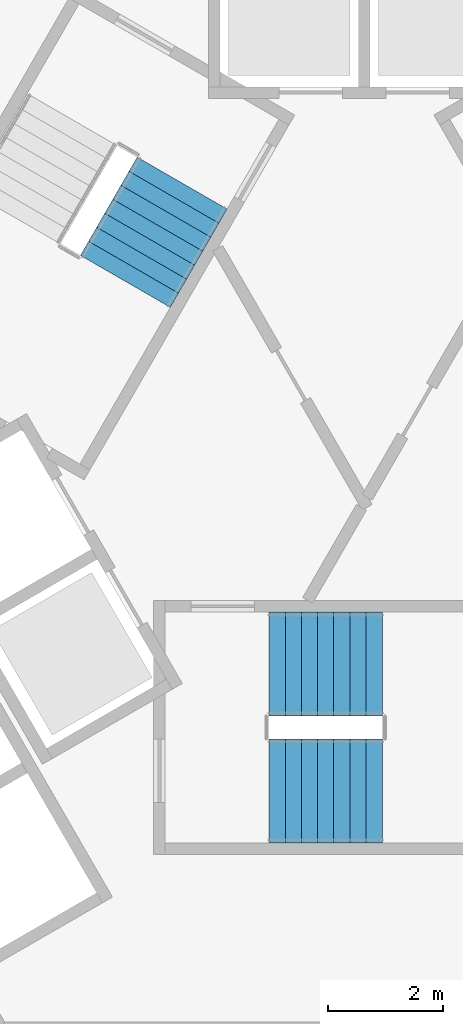
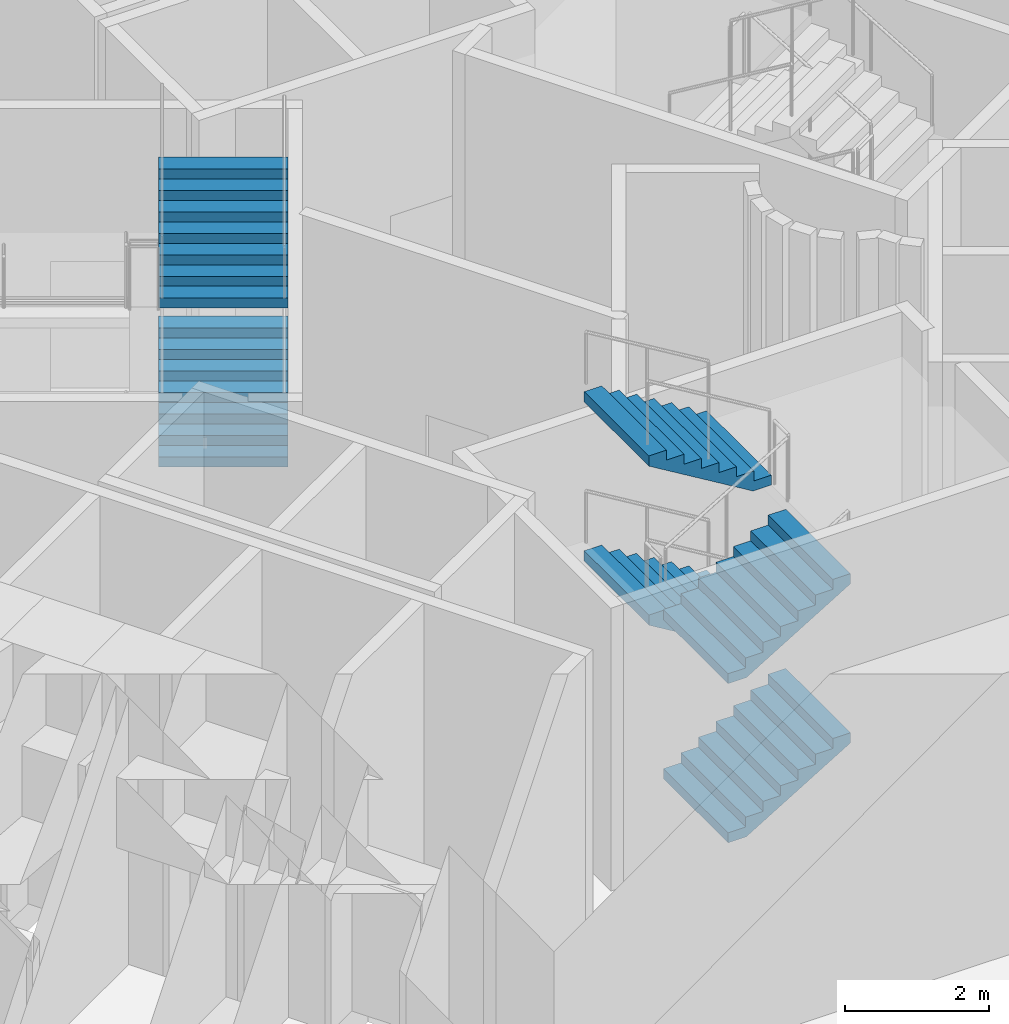
# One storey, part 11 of 20: 6 stair flights, 2 elements without a shape of their own.
"""IFC4 building model written with IfcOpenShell, lengths in metres."""

from ifc_helpers import new_model, si_unit, direction, frame, origin, place, context, subcontext, project, spatial, triangles, material, type_object, element, aggregate, save


model = new_model("IFC4")

# Units and contexts
model_context = context("Model", 3, precision=1e-05, world=origin(), true_north=direction((0.0, 1.0)))
body_context = subcontext(model_context, "Body", "Model", "MODEL_VIEW")
ifc_project = project(units=[si_unit("LENGTHUNIT", "METRE"), si_unit("AREAUNIT", "SQUARE_METRE"), si_unit("VOLUMEUNIT", "CUBIC_METRE"), si_unit("PLANEANGLEUNIT", "RADIAN"), si_unit("MASSUNIT", "GRAM", prefix="KILO")], contexts=[model_context])

# Site, building, storey
site_placement = place(None, origin())
site = spatial("IfcSite", under=ifc_project, at=site_placement, CompositionType="ELEMENT")
building_placement = place(site_placement, origin())
building = spatial("IfcBuilding", under=site, at=building_placement, Name="Entoto Arch Interchange Tower", CompositionType="ELEMENT")
storey_placement = place(building_placement, frame((0.0, 0.0, 184.39990234375)))
storey = spatial("IfcBuildingStorey", under=building, at=storey_placement, Name="L41", CompositionType="ELEMENT", Elevation=184.39990234375)

# Stair, stair flights
ifc_material = material(Name="Concrete C40/50", Category="concrete")
stair_type = type_object("IfcStairType", Name="EXIT STAIR RC 1800", PredefinedType="HALF_TURN_STAIR", material=ifc_material)
stair_1_placement = place(storey_placement, origin())
stair_1 = element("IfcStair", 1, at=stair_1_placement, inside=storey, type_object=stair_type, Name="L41 Exit stair S", PredefinedType="HALF_TURN_STAIR")
stair_flight_type = type_object("IfcStairFlightType", Name="EXIT STAIR FLIGHT RC 1800", PredefinedType="STRAIGHT", material=ifc_material)
stair_flight_1_placement = place(storey_placement, frame((-1.64990234375, -4.300048828125, 0.0), z_axis=(0.0, 0.0, 1.0), x_axis=(1.0, 0.0, 0.0)))
stair_flight_1 = element("IfcStairFlight", 2, at=stair_flight_1_placement, type_object=stair_flight_type, Name="ST-S flight 1", NumberOfRisers=8, NumberOfTreads=7, PredefinedType="STRAIGHT", RiserHeight=0.16875, TreadLength=0.28, context=body_context, shape_type="Tessellation", body=[
    triangles([(-0.003, -0.900024, 0.0), (-0.003, -0.900024, 0.16875), (0.28, -0.900024, 0.16875), (0.28, -0.900024, 0.3375), (0.56, -0.900024, 0.3375), (0.56, -0.900024, 0.50625), (0.84, -0.900024, 0.50625), (0.84, -0.900024, 0.675), (1.12, -0.900024, 0.675), (1.12, -0.900024, 0.84375), (1.4, -0.900024, 0.84375), (1.4, -0.900024, 1.0125), (1.68, -0.900024, 1.0125), (1.68, -0.900024, 1.18125), (1.96, -0.900024, 1.18125), (1.963, -0.900024, 1.18125), (1.963, -0.900024, 1.008036), (0.290406, -0.900024, 0.0), (-0.003, 0.900024, 0.0), (-0.003, 0.900024, 0.16875), (0.28, 0.900024, 0.16875), (0.28, 0.900024, 0.3375), (0.56, 0.900024, 0.3375), (0.56, 0.900024, 0.50625), (0.84, 0.900024, 0.50625), (0.84, 0.900024, 0.675), (1.12, 0.900024, 0.675), (1.12, 0.900024, 0.84375), (1.4, 0.900024, 0.84375), (1.4, 0.900024, 1.0125), (1.68, 0.900024, 1.0125), (1.68, 0.900024, 1.18125), (1.96, 0.900024, 1.18125), (1.963, 0.900024, 1.18125), (1.963, 0.900024, 1.008036), (0.290406, 0.900024, 0.0), (-0.003, -0.450012, 0.0), (-0.003, -0.450012, 0.16875), (-0.003, 0.0, 0.0), (-0.003, 0.0, 0.16875), (-0.003, 0.450012, 0.0), (-0.003, 0.450012, 0.16875), (0.28, -0.450012, 0.16875), (0.28, 0.0, 0.16875), (0.28, 0.450012, 0.16875), (0.28, -0.450012, 0.3375), (0.28, 0.0, 0.3375), (0.28, 0.450012, 0.3375), (0.56, -0.450012, 0.3375), (0.56, 0.0, 0.3375), (0.56, 0.450012, 0.3375), (0.56, -0.450012, 0.50625), (0.56, 0.0, 0.50625), (0.56, 0.450012, 0.50625), (0.84, -0.450012, 0.50625), (0.84, 0.0, 0.50625), (0.84, 0.450012, 0.50625), (0.84, -0.450012, 0.675), (0.84, 0.0, 0.675), (0.84, 0.450012, 0.675), (1.12, -0.450012, 0.675), (1.12, 0.0, 0.675), (1.12, 0.450012, 0.675), (1.12, -0.450012, 0.84375), (1.12, 0.0, 0.84375), (1.12, 0.450012, 0.84375), (1.4, -0.450012, 0.84375), (1.4, 0.0, 0.84375), (1.4, 0.450012, 0.84375), (1.4, -0.450012, 1.0125), (1.4, 0.0, 1.0125), (1.4, 0.450012, 1.0125), (1.68, -0.450012, 1.0125), (1.68, 0.0, 1.0125), (1.68, 0.450012, 1.0125), (1.68, -0.450012, 1.18125), (1.68, 0.0, 1.18125), (1.68, 0.450012, 1.18125), (1.96, -0.450012, 1.18125), (1.96, 0.0, 1.18125), (1.96, 0.450012, 1.18125), (1.963, -0.450012, 1.18125), (1.963, 0.0, 1.18125), (1.963, 0.450012, 1.18125), (1.963, -0.450012, 1.008036), (1.963, 0.0, 1.008036), (1.963, 0.450012, 1.008036), (0.290406, -0.450012, 0.0), (0.290406, 0.0, 0.0), (0.290406, 0.450012, 0.0)], [[1, 18, 17], [17, 16, 15], [17, 15, 14], [17, 14, 13], [17, 13, 12], [17, 12, 11], [11, 10, 9], [17, 11, 9], [9, 8, 7], [17, 9, 7], [7, 6, 5], [17, 7, 5], [5, 4, 3], [17, 5, 3], [1, 17, 3], [3, 2, 1], [19, 35, 36], [35, 33, 34], [35, 32, 33], [35, 31, 32], [35, 30, 31], [35, 29, 30], [29, 27, 28], [35, 27, 29], [27, 25, 26], [35, 25, 27], [25, 23, 24], [35, 23, 25], [23, 21, 22], [35, 21, 23], [19, 21, 35], [21, 19, 20], [1, 2, 38], [1, 38, 37], [37, 38, 40], [37, 40, 39], [39, 40, 42], [39, 42, 41], [41, 42, 20], [41, 20, 19], [2, 3, 43], [2, 43, 38], [38, 43, 44], [38, 44, 40], [40, 44, 45], [40, 45, 42], [42, 45, 21], [42, 21, 20], [3, 4, 46], [3, 46, 43], [43, 46, 47], [43, 47, 44], [44, 47, 48], [44, 48, 45], [45, 48, 22], [45, 22, 21], [4, 5, 49], [4, 49, 46], [46, 49, 50], [46, 50, 47], [47, 50, 51], [47, 51, 48], [48, 51, 23], [48, 23, 22], [5, 6, 52], [5, 52, 49], [49, 52, 53], [49, 53, 50], [50, 53, 54], [50, 54, 51], [51, 54, 24], [51, 24, 23], [6, 7, 55], [6, 55, 52], [52, 55, 56], [52, 56, 53], [53, 56, 57], [53, 57, 54], [54, 57, 25], [54, 25, 24], [7, 8, 58], [7, 58, 55], [55, 58, 59], [55, 59, 56], [56, 59, 60], [56, 60, 57], [57, 60, 26], [57, 26, 25], [8, 9, 61], [8, 61, 58], [58, 61, 62], [58, 62, 59], [59, 62, 63], [59, 63, 60], [60, 63, 27], [60, 27, 26], [9, 10, 64], [9, 64, 61], [61, 64, 65], [61, 65, 62], [62, 65, 66], [62, 66, 63], [63, 66, 28], [63, 28, 27], [10, 11, 67], [10, 67, 64], [64, 67, 68], [64, 68, 65], [65, 68, 69], [65, 69, 66], [66, 69, 29], [66, 29, 28], [11, 12, 70], [11, 70, 67], [67, 70, 71], [67, 71, 68], [68, 71, 72], [68, 72, 69], [69, 72, 30], [69, 30, 29], [12, 13, 73], [12, 73, 70], [70, 73, 74], [70, 74, 71], [71, 74, 75], [71, 75, 72], [72, 75, 31], [72, 31, 30], [13, 14, 76], [13, 76, 73], [73, 76, 77], [73, 77, 74], [74, 77, 78], [74, 78, 75], [75, 78, 32], [75, 32, 31], [14, 15, 79], [14, 79, 76], [76, 79, 80], [76, 80, 77], [77, 80, 81], [77, 81, 78], [78, 81, 33], [78, 33, 32], [15, 16, 82], [15, 82, 79], [79, 82, 83], [79, 83, 80], [80, 83, 84], [80, 84, 81], [81, 84, 34], [81, 34, 33], [16, 17, 85], [16, 85, 82], [82, 85, 86], [82, 86, 83], [83, 86, 87], [83, 87, 84], [84, 87, 35], [84, 35, 34], [17, 18, 88], [17, 88, 85], [85, 88, 89], [85, 89, 86], [86, 89, 90], [86, 90, 87], [87, 90, 36], [87, 36, 35], [18, 1, 37], [18, 37, 88], [88, 37, 39], [88, 39, 89], [89, 39, 41], [89, 41, 90], [90, 41, 19], [90, 19, 36]], closed=True),
])
stair_flight_2_placement = place(storey_placement, frame((0.31005859375, -2.10009765625, 1.35009765625), z_axis=(0.0, 0.0, 1.0), x_axis=(-1.0, 0.0, 0.0)))
stair_flight_2 = element("IfcStairFlight", 3, at=stair_flight_2_placement, type_object=stair_flight_type, Name="ST-S flight 2", NumberOfRisers=8, NumberOfTreads=7, PredefinedType="STRAIGHT", RiserHeight=0.16875, TreadLength=0.28, context=body_context, shape_type="Tessellation", body=[
    triangles([(-0.003, -0.900024, 0.0), (-0.003, -0.900024, 0.16875), (0.28, -0.900024, 0.16875), (0.28, -0.900024, 0.3375), (0.56, -0.900024, 0.3375), (0.56, -0.900024, 0.50625), (0.84, -0.900024, 0.50625), (0.84, -0.900024, 0.675), (1.12, -0.900024, 0.675), (1.12, -0.900024, 0.84375), (1.4, -0.900024, 0.84375), (1.4, -0.900024, 1.0125), (1.68, -0.900024, 1.0125), (1.68, -0.900024, 1.18125), (1.96, -0.900024, 1.18125), (1.963, -0.900024, 1.18125), (1.963, -0.900024, 1.008036), (0.290406, -0.900024, 0.0), (-0.003, 0.900024, 0.0), (-0.003, 0.900024, 0.16875), (0.28, 0.900024, 0.16875), (0.28, 0.900024, 0.3375), (0.56, 0.900024, 0.3375), (0.56, 0.900024, 0.50625), (0.84, 0.900024, 0.50625), (0.84, 0.900024, 0.675), (1.12, 0.900024, 0.675), (1.12, 0.900024, 0.84375), (1.4, 0.900024, 0.84375), (1.4, 0.900024, 1.0125), (1.68, 0.900024, 1.0125), (1.68, 0.900024, 1.18125), (1.96, 0.900024, 1.18125), (1.963, 0.900024, 1.18125), (1.963, 0.900024, 1.008036), (0.290406, 0.900024, 0.0), (-0.003, -0.450012, 0.0), (-0.003, -0.450012, 0.16875), (-0.003, 0.0, 0.0), (-0.003, 0.0, 0.16875), (-0.003, 0.450012, 0.0), (-0.003, 0.450012, 0.16875), (0.28, -0.450012, 0.16875), (0.28, 0.0, 0.16875), (0.28, 0.450012, 0.16875), (0.28, -0.450012, 0.3375), (0.28, 0.0, 0.3375), (0.28, 0.450012, 0.3375), (0.56, -0.450012, 0.3375), (0.56, 0.0, 0.3375), (0.56, 0.450012, 0.3375), (0.56, -0.450012, 0.50625), (0.56, 0.0, 0.50625), (0.56, 0.450012, 0.50625), (0.84, -0.450012, 0.50625), (0.84, 0.0, 0.50625), (0.84, 0.450012, 0.50625), (0.84, -0.450012, 0.675), (0.84, 0.0, 0.675), (0.84, 0.450012, 0.675), (1.12, -0.450012, 0.675), (1.12, 0.0, 0.675), (1.12, 0.450012, 0.675), (1.12, -0.450012, 0.84375), (1.12, 0.0, 0.84375), (1.12, 0.450012, 0.84375), (1.4, -0.450012, 0.84375), (1.4, 0.0, 0.84375), (1.4, 0.450012, 0.84375), (1.4, -0.450012, 1.0125), (1.4, 0.0, 1.0125), (1.4, 0.450012, 1.0125), (1.68, -0.450012, 1.0125), (1.68, 0.0, 1.0125), (1.68, 0.450012, 1.0125), (1.68, -0.450012, 1.18125), (1.68, 0.0, 1.18125), (1.68, 0.450012, 1.18125), (1.96, -0.450012, 1.18125), (1.96, 0.0, 1.18125), (1.96, 0.450012, 1.18125), (1.963, -0.450012, 1.18125), (1.963, 0.0, 1.18125), (1.963, 0.450012, 1.18125), (1.963, -0.450012, 1.008036), (1.963, 0.0, 1.008036), (1.963, 0.450012, 1.008036), (0.290406, -0.450012, 0.0), (0.290406, 0.0, 0.0), (0.290406, 0.450012, 0.0)], [[1, 18, 17], [17, 16, 15], [17, 15, 14], [17, 14, 13], [17, 13, 12], [17, 12, 11], [11, 10, 9], [17, 11, 9], [9, 8, 7], [17, 9, 7], [7, 6, 5], [17, 7, 5], [5, 4, 3], [17, 5, 3], [1, 17, 3], [3, 2, 1], [19, 35, 36], [35, 33, 34], [35, 32, 33], [35, 31, 32], [35, 30, 31], [35, 29, 30], [29, 27, 28], [35, 27, 29], [27, 25, 26], [35, 25, 27], [25, 23, 24], [35, 23, 25], [23, 21, 22], [35, 21, 23], [19, 21, 35], [21, 19, 20], [1, 2, 38], [1, 38, 37], [37, 38, 40], [37, 40, 39], [39, 40, 42], [39, 42, 41], [41, 42, 20], [41, 20, 19], [2, 3, 43], [2, 43, 38], [38, 43, 44], [38, 44, 40], [40, 44, 45], [40, 45, 42], [42, 45, 21], [42, 21, 20], [3, 4, 46], [3, 46, 43], [43, 46, 47], [43, 47, 44], [44, 47, 48], [44, 48, 45], [45, 48, 22], [45, 22, 21], [4, 5, 49], [4, 49, 46], [46, 49, 50], [46, 50, 47], [47, 50, 51], [47, 51, 48], [48, 51, 23], [48, 23, 22], [5, 6, 52], [5, 52, 49], [49, 52, 53], [49, 53, 50], [50, 53, 54], [50, 54, 51], [51, 54, 24], [51, 24, 23], [6, 7, 55], [6, 55, 52], [52, 55, 56], [52, 56, 53], [53, 56, 57], [53, 57, 54], [54, 57, 25], [54, 25, 24], [7, 8, 58], [7, 58, 55], [55, 58, 59], [55, 59, 56], [56, 59, 60], [56, 60, 57], [57, 60, 26], [57, 26, 25], [8, 9, 61], [8, 61, 58], [58, 61, 62], [58, 62, 59], [59, 62, 63], [59, 63, 60], [60, 63, 27], [60, 27, 26], [9, 10, 64], [9, 64, 61], [61, 64, 65], [61, 65, 62], [62, 65, 66], [62, 66, 63], [63, 66, 28], [63, 28, 27], [10, 11, 67], [10, 67, 64], [64, 67, 68], [64, 68, 65], [65, 68, 69], [65, 69, 66], [66, 69, 29], [66, 29, 28], [11, 12, 70], [11, 70, 67], [67, 70, 71], [67, 71, 68], [68, 71, 72], [68, 72, 69], [69, 72, 30], [69, 30, 29], [12, 13, 73], [12, 73, 70], [70, 73, 74], [70, 74, 71], [71, 74, 75], [71, 75, 72], [72, 75, 31], [72, 31, 30], [13, 14, 76], [13, 76, 73], [73, 76, 77], [73, 77, 74], [74, 77, 78], [74, 78, 75], [75, 78, 32], [75, 32, 31], [14, 15, 79], [14, 79, 76], [76, 79, 80], [76, 80, 77], [77, 80, 81], [77, 81, 78], [78, 81, 33], [78, 33, 32], [15, 16, 82], [15, 82, 79], [79, 82, 83], [79, 83, 80], [80, 83, 84], [80, 84, 81], [81, 84, 34], [81, 34, 33], [16, 17, 85], [16, 85, 82], [82, 85, 86], [82, 86, 83], [83, 86, 87], [83, 87, 84], [84, 87, 35], [84, 35, 34], [17, 18, 88], [17, 88, 85], [85, 88, 89], [85, 89, 86], [86, 89, 90], [86, 90, 87], [87, 90, 36], [87, 36, 35], [18, 1, 37], [18, 37, 88], [88, 37, 39], [88, 39, 89], [89, 39, 41], [89, 41, 90], [90, 41, 19], [90, 19, 36]], closed=True),
])
stair_flight_3_placement = place(storey_placement, frame((-1.64990234375, -4.300048828125, 2.7001953125), z_axis=(0.0, 0.0, 1.0), x_axis=(1.0, 0.0, 0.0)))
stair_flight_3 = element("IfcStairFlight", 4, at=stair_flight_3_placement, type_object=stair_flight_type, Name="ST-S flight 3", NumberOfRisers=8, NumberOfTreads=7, PredefinedType="STRAIGHT", RiserHeight=0.16875, TreadLength=0.28, context=body_context, shape_type="Tessellation", body=[
    triangles([(-0.003, -0.900024, 0.0), (-0.003, -0.900024, 0.16875), (0.28, -0.900024, 0.16875), (0.28, -0.900024, 0.3375), (0.56, -0.900024, 0.3375), (0.56, -0.900024, 0.50625), (0.84, -0.900024, 0.50625), (0.84, -0.900024, 0.675), (1.12, -0.900024, 0.675), (1.12, -0.900024, 0.84375), (1.4, -0.900024, 0.84375), (1.4, -0.900024, 1.0125), (1.68, -0.900024, 1.0125), (1.68, -0.900024, 1.18125), (1.96, -0.900024, 1.18125), (1.963, -0.900024, 1.18125), (1.963, -0.900024, 1.008036), (0.290406, -0.900024, 0.0), (-0.003, 0.900024, 0.0), (-0.003, 0.900024, 0.16875), (0.28, 0.900024, 0.16875), (0.28, 0.900024, 0.3375), (0.56, 0.900024, 0.3375), (0.56, 0.900024, 0.50625), (0.84, 0.900024, 0.50625), (0.84, 0.900024, 0.675), (1.12, 0.900024, 0.675), (1.12, 0.900024, 0.84375), (1.4, 0.900024, 0.84375), (1.4, 0.900024, 1.0125), (1.68, 0.900024, 1.0125), (1.68, 0.900024, 1.18125), (1.96, 0.900024, 1.18125), (1.963, 0.900024, 1.18125), (1.963, 0.900024, 1.008036), (0.290406, 0.900024, 0.0), (-0.003, -0.450012, 0.0), (-0.003, -0.450012, 0.16875), (-0.003, 0.0, 0.0), (-0.003, 0.0, 0.16875), (-0.003, 0.450012, 0.0), (-0.003, 0.450012, 0.16875), (0.28, -0.450012, 0.16875), (0.28, 0.0, 0.16875), (0.28, 0.450012, 0.16875), (0.28, -0.450012, 0.3375), (0.28, 0.0, 0.3375), (0.28, 0.450012, 0.3375), (0.56, -0.450012, 0.3375), (0.56, 0.0, 0.3375), (0.56, 0.450012, 0.3375), (0.56, -0.450012, 0.50625), (0.56, 0.0, 0.50625), (0.56, 0.450012, 0.50625), (0.84, -0.450012, 0.50625), (0.84, 0.0, 0.50625), (0.84, 0.450012, 0.50625), (0.84, -0.450012, 0.675), (0.84, 0.0, 0.675), (0.84, 0.450012, 0.675), (1.12, -0.450012, 0.675), (1.12, 0.0, 0.675), (1.12, 0.450012, 0.675), (1.12, -0.450012, 0.84375), (1.12, 0.0, 0.84375), (1.12, 0.450012, 0.84375), (1.4, -0.450012, 0.84375), (1.4, 0.0, 0.84375), (1.4, 0.450012, 0.84375), (1.4, -0.450012, 1.0125), (1.4, 0.0, 1.0125), (1.4, 0.450012, 1.0125), (1.68, -0.450012, 1.0125), (1.68, 0.0, 1.0125), (1.68, 0.450012, 1.0125), (1.68, -0.450012, 1.18125), (1.68, 0.0, 1.18125), (1.68, 0.450012, 1.18125), (1.96, -0.450012, 1.18125), (1.96, 0.0, 1.18125), (1.96, 0.450012, 1.18125), (1.963, -0.450012, 1.18125), (1.963, 0.0, 1.18125), (1.963, 0.450012, 1.18125), (1.963, -0.450012, 1.008036), (1.963, 0.0, 1.008036), (1.963, 0.450012, 1.008036), (0.290406, -0.450012, 0.0), (0.290406, 0.0, 0.0), (0.290406, 0.450012, 0.0)], [[1, 18, 17], [17, 16, 15], [17, 15, 14], [17, 14, 13], [17, 13, 12], [17, 12, 11], [11, 10, 9], [17, 11, 9], [9, 8, 7], [17, 9, 7], [7, 6, 5], [17, 7, 5], [5, 4, 3], [17, 5, 3], [1, 17, 3], [3, 2, 1], [19, 35, 36], [35, 33, 34], [35, 32, 33], [35, 31, 32], [35, 30, 31], [35, 29, 30], [29, 27, 28], [35, 27, 29], [27, 25, 26], [35, 25, 27], [25, 23, 24], [35, 23, 25], [23, 21, 22], [35, 21, 23], [19, 21, 35], [21, 19, 20], [1, 2, 38], [1, 38, 37], [37, 38, 40], [37, 40, 39], [39, 40, 42], [39, 42, 41], [41, 42, 20], [41, 20, 19], [2, 3, 43], [2, 43, 38], [38, 43, 44], [38, 44, 40], [40, 44, 45], [40, 45, 42], [42, 45, 21], [42, 21, 20], [3, 4, 46], [3, 46, 43], [43, 46, 47], [43, 47, 44], [44, 47, 48], [44, 48, 45], [45, 48, 22], [45, 22, 21], [4, 5, 49], [4, 49, 46], [46, 49, 50], [46, 50, 47], [47, 50, 51], [47, 51, 48], [48, 51, 23], [48, 23, 22], [5, 6, 52], [5, 52, 49], [49, 52, 53], [49, 53, 50], [50, 53, 54], [50, 54, 51], [51, 54, 24], [51, 24, 23], [6, 7, 55], [6, 55, 52], [52, 55, 56], [52, 56, 53], [53, 56, 57], [53, 57, 54], [54, 57, 25], [54, 25, 24], [7, 8, 58], [7, 58, 55], [55, 58, 59], [55, 59, 56], [56, 59, 60], [56, 60, 57], [57, 60, 26], [57, 26, 25], [8, 9, 61], [8, 61, 58], [58, 61, 62], [58, 62, 59], [59, 62, 63], [59, 63, 60], [60, 63, 27], [60, 27, 26], [9, 10, 64], [9, 64, 61], [61, 64, 65], [61, 65, 62], [62, 65, 66], [62, 66, 63], [63, 66, 28], [63, 28, 27], [10, 11, 67], [10, 67, 64], [64, 67, 68], [64, 68, 65], [65, 68, 69], [65, 69, 66], [66, 69, 29], [66, 29, 28], [11, 12, 70], [11, 70, 67], [67, 70, 71], [67, 71, 68], [68, 71, 72], [68, 72, 69], [69, 72, 30], [69, 30, 29], [12, 13, 73], [12, 73, 70], [70, 73, 74], [70, 74, 71], [71, 74, 75], [71, 75, 72], [72, 75, 31], [72, 31, 30], [13, 14, 76], [13, 76, 73], [73, 76, 77], [73, 77, 74], [74, 77, 78], [74, 78, 75], [75, 78, 32], [75, 32, 31], [14, 15, 79], [14, 79, 76], [76, 79, 80], [76, 80, 77], [77, 80, 81], [77, 81, 78], [78, 81, 33], [78, 33, 32], [15, 16, 82], [15, 82, 79], [79, 82, 83], [79, 83, 80], [80, 83, 84], [80, 84, 81], [81, 84, 34], [81, 34, 33], [16, 17, 85], [16, 85, 82], [82, 85, 86], [82, 86, 83], [83, 86, 87], [83, 87, 84], [84, 87, 35], [84, 35, 34], [17, 18, 88], [17, 88, 85], [85, 88, 89], [85, 89, 86], [86, 89, 90], [86, 90, 87], [87, 90, 36], [87, 36, 35], [18, 1, 37], [18, 37, 88], [88, 37, 39], [88, 39, 89], [89, 39, 41], [89, 41, 90], [90, 41, 19], [90, 19, 36]], closed=True),
])
stair_flight_4_placement = place(storey_placement, frame((0.31005859375, -2.10009765625, 4.050048828125), z_axis=(0.0, 0.0, 1.0), x_axis=(-1.0, 0.0, 0.0)))
stair_flight_4 = element("IfcStairFlight", 5, at=stair_flight_4_placement, type_object=stair_flight_type, Name="ST-S flight 4", NumberOfRisers=8, NumberOfTreads=7, PredefinedType="STRAIGHT", RiserHeight=0.16875, TreadLength=0.28, context=body_context, shape_type="Tessellation", body=[
    triangles([(-0.003, -0.900024, 0.0), (-0.003, -0.900024, 0.16875), (0.28, -0.900024, 0.16875), (0.28, -0.900024, 0.3375), (0.56, -0.900024, 0.3375), (0.56, -0.900024, 0.50625), (0.84, -0.900024, 0.50625), (0.84, -0.900024, 0.675), (1.12, -0.900024, 0.675), (1.12, -0.900024, 0.84375), (1.4, -0.900024, 0.84375), (1.4, -0.900024, 1.0125), (1.68, -0.900024, 1.0125), (1.68, -0.900024, 1.18125), (1.96, -0.900024, 1.18125), (1.963, -0.900024, 1.18125), (1.963, -0.900024, 1.008036), (0.290406, -0.900024, 0.0), (-0.003, 0.900024, 0.0), (-0.003, 0.900024, 0.16875), (0.28, 0.900024, 0.16875), (0.28, 0.900024, 0.3375), (0.56, 0.900024, 0.3375), (0.56, 0.900024, 0.50625), (0.84, 0.900024, 0.50625), (0.84, 0.900024, 0.675), (1.12, 0.900024, 0.675), (1.12, 0.900024, 0.84375), (1.4, 0.900024, 0.84375), (1.4, 0.900024, 1.0125), (1.68, 0.900024, 1.0125), (1.68, 0.900024, 1.18125), (1.96, 0.900024, 1.18125), (1.963, 0.900024, 1.18125), (1.963, 0.900024, 1.008036), (0.290406, 0.900024, 0.0), (-0.003, -0.450012, 0.0), (-0.003, -0.450012, 0.16875), (-0.003, 0.0, 0.0), (-0.003, 0.0, 0.16875), (-0.003, 0.450012, 0.0), (-0.003, 0.450012, 0.16875), (0.28, -0.450012, 0.16875), (0.28, 0.0, 0.16875), (0.28, 0.450012, 0.16875), (0.28, -0.450012, 0.3375), (0.28, 0.0, 0.3375), (0.28, 0.450012, 0.3375), (0.56, -0.450012, 0.3375), (0.56, 0.0, 0.3375), (0.56, 0.450012, 0.3375), (0.56, -0.450012, 0.50625), (0.56, 0.0, 0.50625), (0.56, 0.450012, 0.50625), (0.84, -0.450012, 0.50625), (0.84, 0.0, 0.50625), (0.84, 0.450012, 0.50625), (0.84, -0.450012, 0.675), (0.84, 0.0, 0.675), (0.84, 0.450012, 0.675), (1.12, -0.450012, 0.675), (1.12, 0.0, 0.675), (1.12, 0.450012, 0.675), (1.12, -0.450012, 0.84375), (1.12, 0.0, 0.84375), (1.12, 0.450012, 0.84375), (1.4, -0.450012, 0.84375), (1.4, 0.0, 0.84375), (1.4, 0.450012, 0.84375), (1.4, -0.450012, 1.0125), (1.4, 0.0, 1.0125), (1.4, 0.450012, 1.0125), (1.68, -0.450012, 1.0125), (1.68, 0.0, 1.0125), (1.68, 0.450012, 1.0125), (1.68, -0.450012, 1.18125), (1.68, 0.0, 1.18125), (1.68, 0.450012, 1.18125), (1.96, -0.450012, 1.18125), (1.96, 0.0, 1.18125), (1.96, 0.450012, 1.18125), (1.963, -0.450012, 1.18125), (1.963, 0.0, 1.18125), (1.963, 0.450012, 1.18125), (1.963, -0.450012, 1.008036), (1.963, 0.0, 1.008036), (1.963, 0.450012, 1.008036), (0.290406, -0.450012, 0.0), (0.290406, 0.0, 0.0), (0.290406, 0.450012, 0.0)], [[1, 18, 17], [17, 16, 15], [17, 15, 14], [17, 14, 13], [17, 13, 12], [17, 12, 11], [11, 10, 9], [17, 11, 9], [9, 8, 7], [17, 9, 7], [7, 6, 5], [17, 7, 5], [5, 4, 3], [17, 5, 3], [1, 17, 3], [3, 2, 1], [19, 35, 36], [35, 33, 34], [35, 32, 33], [35, 31, 32], [35, 30, 31], [35, 29, 30], [29, 27, 28], [35, 27, 29], [27, 25, 26], [35, 25, 27], [25, 23, 24], [35, 23, 25], [23, 21, 22], [35, 21, 23], [19, 21, 35], [21, 19, 20], [1, 2, 38], [1, 38, 37], [37, 38, 40], [37, 40, 39], [39, 40, 42], [39, 42, 41], [41, 42, 20], [41, 20, 19], [2, 3, 43], [2, 43, 38], [38, 43, 44], [38, 44, 40], [40, 44, 45], [40, 45, 42], [42, 45, 21], [42, 21, 20], [3, 4, 46], [3, 46, 43], [43, 46, 47], [43, 47, 44], [44, 47, 48], [44, 48, 45], [45, 48, 22], [45, 22, 21], [4, 5, 49], [4, 49, 46], [46, 49, 50], [46, 50, 47], [47, 50, 51], [47, 51, 48], [48, 51, 23], [48, 23, 22], [5, 6, 52], [5, 52, 49], [49, 52, 53], [49, 53, 50], [50, 53, 54], [50, 54, 51], [51, 54, 24], [51, 24, 23], [6, 7, 55], [6, 55, 52], [52, 55, 56], [52, 56, 53], [53, 56, 57], [53, 57, 54], [54, 57, 25], [54, 25, 24], [7, 8, 58], [7, 58, 55], [55, 58, 59], [55, 59, 56], [56, 59, 60], [56, 60, 57], [57, 60, 26], [57, 26, 25], [8, 9, 61], [8, 61, 58], [58, 61, 62], [58, 62, 59], [59, 62, 63], [59, 63, 60], [60, 63, 27], [60, 27, 26], [9, 10, 64], [9, 64, 61], [61, 64, 65], [61, 65, 62], [62, 65, 66], [62, 66, 63], [63, 66, 28], [63, 28, 27], [10, 11, 67], [10, 67, 64], [64, 67, 68], [64, 68, 65], [65, 68, 69], [65, 69, 66], [66, 69, 29], [66, 29, 28], [11, 12, 70], [11, 70, 67], [67, 70, 71], [67, 71, 68], [68, 71, 72], [68, 72, 69], [69, 72, 30], [69, 30, 29], [12, 13, 73], [12, 73, 70], [70, 73, 74], [70, 74, 71], [71, 74, 75], [71, 75, 72], [72, 75, 31], [72, 31, 30], [13, 14, 76], [13, 76, 73], [73, 76, 77], [73, 77, 74], [74, 77, 78], [74, 78, 75], [75, 78, 32], [75, 32, 31], [14, 15, 79], [14, 79, 76], [76, 79, 80], [76, 80, 77], [77, 80, 81], [77, 81, 78], [78, 81, 33], [78, 33, 32], [15, 16, 82], [15, 82, 79], [79, 82, 83], [79, 83, 80], [80, 83, 84], [80, 84, 81], [81, 84, 34], [81, 34, 33], [16, 17, 85], [16, 85, 82], [82, 85, 86], [82, 86, 83], [83, 86, 87], [83, 87, 84], [84, 87, 35], [84, 35, 34], [17, 18, 88], [17, 88, 85], [85, 88, 89], [85, 89, 86], [86, 89, 90], [86, 90, 87], [87, 90, 36], [87, 36, 35], [18, 1, 37], [18, 37, 88], [88, 37, 39], [88, 39, 89], [89, 39, 41], [89, 41, 90], [90, 41, 19], [90, 19, 36]], closed=True),
])
aggregate(stair_1, [stair_flight_1, stair_flight_2, stair_flight_3, stair_flight_4])

stair_2_placement = place(storey_placement, origin())
stair_2 = element("IfcStair", 6, at=stair_2_placement, inside=storey, type_object=stair_type, Name="L41 Exit stair NW", PredefinedType="HALF_TURN_STAIR")
stair_flight_5_placement = place(storey_placement, frame((-4.138671875, 4.531494140625, 1.35009765625), z_axis=(0.0, 0.0, 1.0), x_axis=(0.5, 0.866025403784, 0.0)))
stair_flight_5 = element("IfcStairFlight", 7, at=stair_flight_5_placement, type_object=stair_flight_type, Name="ST-NW flight 2", NumberOfRisers=8, NumberOfTreads=7, PredefinedType="STRAIGHT", RiserHeight=0.16875, TreadLength=0.28, context=body_context, shape_type="Tessellation", body=[
    triangles([(-0.003, -0.900024, 0.0), (-0.003, -0.900024, 0.16875), (0.28, -0.900024, 0.16875), (0.28, -0.900024, 0.3375), (0.56, -0.900024, 0.3375), (0.56, -0.900024, 0.50625), (0.84, -0.900024, 0.50625), (0.84, -0.900024, 0.675), (1.12, -0.900024, 0.675), (1.12, -0.900024, 0.84375), (1.4, -0.900024, 0.84375), (1.4, -0.900024, 1.0125), (1.68, -0.900024, 1.0125), (1.68, -0.900024, 1.18125), (1.96, -0.900024, 1.18125), (1.963, -0.900024, 1.18125), (1.963, -0.900024, 1.008036), (0.290406, -0.900024, 0.0), (-0.003, 0.900024, 0.0), (-0.003, 0.900024, 0.16875), (0.28, 0.900024, 0.16875), (0.28, 0.900024, 0.3375), (0.56, 0.900024, 0.3375), (0.56, 0.900024, 0.50625), (0.84, 0.900024, 0.50625), (0.84, 0.900024, 0.675), (1.12, 0.900024, 0.675), (1.12, 0.900024, 0.84375), (1.4, 0.900024, 0.84375), (1.4, 0.900024, 1.0125), (1.68, 0.900024, 1.0125), (1.68, 0.900024, 1.18125), (1.96, 0.900024, 1.18125), (1.963, 0.900024, 1.18125), (1.963, 0.900024, 1.008036), (0.290406, 0.900024, 0.0), (-0.003, -0.450012, 0.0), (-0.003, -0.450012, 0.16875), (-0.003, 0.0, 0.0), (-0.003, 0.0, 0.16875), (-0.003, 0.450012, 0.0), (-0.003, 0.450012, 0.16875), (0.28, -0.450012, 0.16875), (0.28, 0.0, 0.16875), (0.28, 0.450012, 0.16875), (0.28, -0.450012, 0.3375), (0.28, 0.0, 0.3375), (0.28, 0.450012, 0.3375), (0.56, -0.450012, 0.3375), (0.56, 0.0, 0.3375), (0.56, 0.450012, 0.3375), (0.56, -0.450012, 0.50625), (0.56, 0.0, 0.50625), (0.56, 0.450012, 0.50625), (0.84, -0.450012, 0.50625), (0.84, 0.0, 0.50625), (0.84, 0.450012, 0.50625), (0.84, -0.450012, 0.675), (0.84, 0.0, 0.675), (0.84, 0.450012, 0.675), (1.12, -0.450012, 0.675), (1.12, 0.0, 0.675), (1.12, 0.450012, 0.675), (1.12, -0.450012, 0.84375), (1.12, 0.0, 0.84375), (1.12, 0.450012, 0.84375), (1.4, -0.450012, 0.84375), (1.4, 0.0, 0.84375), (1.4, 0.450012, 0.84375), (1.4, -0.450012, 1.0125), (1.4, 0.0, 1.0125), (1.4, 0.450012, 1.0125), (1.68, -0.450012, 1.0125), (1.68, 0.0, 1.0125), (1.68, 0.450012, 1.0125), (1.68, -0.450012, 1.18125), (1.68, 0.0, 1.18125), (1.68, 0.450012, 1.18125), (1.96, -0.450012, 1.18125), (1.96, 0.0, 1.18125), (1.96, 0.450012, 1.18125), (1.963, -0.450012, 1.18125), (1.963, 0.0, 1.18125), (1.963, 0.450012, 1.18125), (1.963, -0.450012, 1.008036), (1.963, 0.0, 1.008036), (1.963, 0.450012, 1.008036), (0.290406, -0.450012, 0.0), (0.290406, 0.0, 0.0), (0.290406, 0.450012, 0.0)], [[1, 18, 17], [17, 16, 15], [17, 15, 14], [17, 14, 13], [17, 13, 12], [17, 12, 11], [11, 10, 9], [17, 11, 9], [9, 8, 7], [17, 9, 7], [7, 6, 5], [17, 7, 5], [5, 4, 3], [17, 5, 3], [1, 17, 3], [3, 2, 1], [19, 35, 36], [35, 33, 34], [35, 32, 33], [35, 31, 32], [35, 30, 31], [35, 29, 30], [29, 27, 28], [35, 27, 29], [27, 25, 26], [35, 25, 27], [25, 23, 24], [35, 23, 25], [23, 21, 22], [35, 21, 23], [19, 21, 35], [21, 19, 20], [1, 2, 38], [1, 38, 37], [37, 38, 40], [37, 40, 39], [39, 40, 42], [39, 42, 41], [41, 42, 20], [41, 20, 19], [2, 3, 43], [2, 43, 38], [38, 43, 44], [38, 44, 40], [40, 44, 45], [40, 45, 42], [42, 45, 21], [42, 21, 20], [3, 4, 46], [3, 46, 43], [43, 46, 47], [43, 47, 44], [44, 47, 48], [44, 48, 45], [45, 48, 22], [45, 22, 21], [4, 5, 49], [4, 49, 46], [46, 49, 50], [46, 50, 47], [47, 50, 51], [47, 51, 48], [48, 51, 23], [48, 23, 22], [5, 6, 52], [5, 52, 49], [49, 52, 53], [49, 53, 50], [50, 53, 54], [50, 54, 51], [51, 54, 24], [51, 24, 23], [6, 7, 55], [6, 55, 52], [52, 55, 56], [52, 56, 53], [53, 56, 57], [53, 57, 54], [54, 57, 25], [54, 25, 24], [7, 8, 58], [7, 58, 55], [55, 58, 59], [55, 59, 56], [56, 59, 60], [56, 60, 57], [57, 60, 26], [57, 26, 25], [8, 9, 61], [8, 61, 58], [58, 61, 62], [58, 62, 59], [59, 62, 63], [59, 63, 60], [60, 63, 27], [60, 27, 26], [9, 10, 64], [9, 64, 61], [61, 64, 65], [61, 65, 62], [62, 65, 66], [62, 66, 63], [63, 66, 28], [63, 28, 27], [10, 11, 67], [10, 67, 64], [64, 67, 68], [64, 68, 65], [65, 68, 69], [65, 69, 66], [66, 69, 29], [66, 29, 28], [11, 12, 70], [11, 70, 67], [67, 70, 71], [67, 71, 68], [68, 71, 72], [68, 72, 69], [69, 72, 30], [69, 30, 29], [12, 13, 73], [12, 73, 70], [70, 73, 74], [70, 74, 71], [71, 74, 75], [71, 75, 72], [72, 75, 31], [72, 31, 30], [13, 14, 76], [13, 76, 73], [73, 76, 77], [73, 77, 74], [74, 77, 78], [74, 78, 75], [75, 78, 32], [75, 32, 31], [14, 15, 79], [14, 79, 76], [76, 79, 80], [76, 80, 77], [77, 80, 81], [77, 81, 78], [78, 81, 33], [78, 33, 32], [15, 16, 82], [15, 82, 79], [79, 82, 83], [79, 83, 80], [80, 83, 84], [80, 84, 81], [81, 84, 34], [81, 34, 33], [16, 17, 85], [16, 85, 82], [82, 85, 86], [82, 86, 83], [83, 86, 87], [83, 87, 84], [84, 87, 35], [84, 35, 34], [17, 18, 88], [17, 88, 85], [85, 88, 89], [85, 89, 86], [86, 89, 90], [86, 90, 87], [87, 90, 36], [87, 36, 35], [18, 1, 37], [18, 37, 88], [88, 37, 39], [88, 39, 89], [89, 39, 41], [89, 41, 90], [90, 41, 19], [90, 19, 36]], closed=True),
])
stair_flight_6_placement = place(storey_placement, frame((-4.138671875, 4.531494140625, 4.050048828125), z_axis=(0.0, 0.0, 1.0), x_axis=(0.5, 0.866025403784, 0.0)))
stair_flight_6 = element("IfcStairFlight", 8, at=stair_flight_6_placement, type_object=stair_flight_type, Name="ST-NW flight 4", NumberOfRisers=8, NumberOfTreads=7, PredefinedType="STRAIGHT", RiserHeight=0.16875, TreadLength=0.28, context=body_context, shape_type="Tessellation", body=[
    triangles([(-0.003, -0.900024, 0.0), (-0.003, -0.900024, 0.16875), (0.28, -0.900024, 0.16875), (0.28, -0.900024, 0.3375), (0.56, -0.900024, 0.3375), (0.56, -0.900024, 0.50625), (0.84, -0.900024, 0.50625), (0.84, -0.900024, 0.675), (1.12, -0.900024, 0.675), (1.12, -0.900024, 0.84375), (1.4, -0.900024, 0.84375), (1.4, -0.900024, 1.0125), (1.68, -0.900024, 1.0125), (1.68, -0.900024, 1.18125), (1.96, -0.900024, 1.18125), (1.963, -0.900024, 1.18125), (1.963, -0.900024, 1.008036), (0.290406, -0.900024, 0.0), (-0.003, 0.900024, 0.0), (-0.003, 0.900024, 0.16875), (0.28, 0.900024, 0.16875), (0.28, 0.900024, 0.3375), (0.56, 0.900024, 0.3375), (0.56, 0.900024, 0.50625), (0.84, 0.900024, 0.50625), (0.84, 0.900024, 0.675), (1.12, 0.900024, 0.675), (1.12, 0.900024, 0.84375), (1.4, 0.900024, 0.84375), (1.4, 0.900024, 1.0125), (1.68, 0.900024, 1.0125), (1.68, 0.900024, 1.18125), (1.96, 0.900024, 1.18125), (1.963, 0.900024, 1.18125), (1.963, 0.900024, 1.008036), (0.290406, 0.900024, 0.0), (-0.003, -0.450012, 0.0), (-0.003, -0.450012, 0.16875), (-0.003, 0.0, 0.0), (-0.003, 0.0, 0.16875), (-0.003, 0.450012, 0.0), (-0.003, 0.450012, 0.16875), (0.28, -0.450012, 0.16875), (0.28, 0.0, 0.16875), (0.28, 0.450012, 0.16875), (0.28, -0.450012, 0.3375), (0.28, 0.0, 0.3375), (0.28, 0.450012, 0.3375), (0.56, -0.450012, 0.3375), (0.56, 0.0, 0.3375), (0.56, 0.450012, 0.3375), (0.56, -0.450012, 0.50625), (0.56, 0.0, 0.50625), (0.56, 0.450012, 0.50625), (0.84, -0.450012, 0.50625), (0.84, 0.0, 0.50625), (0.84, 0.450012, 0.50625), (0.84, -0.450012, 0.675), (0.84, 0.0, 0.675), (0.84, 0.450012, 0.675), (1.12, -0.450012, 0.675), (1.12, 0.0, 0.675), (1.12, 0.450012, 0.675), (1.12, -0.450012, 0.84375), (1.12, 0.0, 0.84375), (1.12, 0.450012, 0.84375), (1.4, -0.450012, 0.84375), (1.4, 0.0, 0.84375), (1.4, 0.450012, 0.84375), (1.4, -0.450012, 1.0125), (1.4, 0.0, 1.0125), (1.4, 0.450012, 1.0125), (1.68, -0.450012, 1.0125), (1.68, 0.0, 1.0125), (1.68, 0.450012, 1.0125), (1.68, -0.450012, 1.18125), (1.68, 0.0, 1.18125), (1.68, 0.450012, 1.18125), (1.96, -0.450012, 1.18125), (1.96, 0.0, 1.18125), (1.96, 0.450012, 1.18125), (1.963, -0.450012, 1.18125), (1.963, 0.0, 1.18125), (1.963, 0.450012, 1.18125), (1.963, -0.450012, 1.008036), (1.963, 0.0, 1.008036), (1.963, 0.450012, 1.008036), (0.290406, -0.450012, 0.0), (0.290406, 0.0, 0.0), (0.290406, 0.450012, 0.0)], [[1, 18, 17], [17, 16, 15], [17, 15, 14], [17, 14, 13], [17, 13, 12], [17, 12, 11], [11, 10, 9], [17, 11, 9], [9, 8, 7], [17, 9, 7], [7, 6, 5], [17, 7, 5], [5, 4, 3], [17, 5, 3], [1, 17, 3], [3, 2, 1], [19, 35, 36], [35, 33, 34], [35, 32, 33], [35, 31, 32], [35, 30, 31], [35, 29, 30], [29, 27, 28], [35, 27, 29], [27, 25, 26], [35, 25, 27], [25, 23, 24], [35, 23, 25], [23, 21, 22], [35, 21, 23], [19, 21, 35], [21, 19, 20], [1, 2, 38], [1, 38, 37], [37, 38, 40], [37, 40, 39], [39, 40, 42], [39, 42, 41], [41, 42, 20], [41, 20, 19], [2, 3, 43], [2, 43, 38], [38, 43, 44], [38, 44, 40], [40, 44, 45], [40, 45, 42], [42, 45, 21], [42, 21, 20], [3, 4, 46], [3, 46, 43], [43, 46, 47], [43, 47, 44], [44, 47, 48], [44, 48, 45], [45, 48, 22], [45, 22, 21], [4, 5, 49], [4, 49, 46], [46, 49, 50], [46, 50, 47], [47, 50, 51], [47, 51, 48], [48, 51, 23], [48, 23, 22], [5, 6, 52], [5, 52, 49], [49, 52, 53], [49, 53, 50], [50, 53, 54], [50, 54, 51], [51, 54, 24], [51, 24, 23], [6, 7, 55], [6, 55, 52], [52, 55, 56], [52, 56, 53], [53, 56, 57], [53, 57, 54], [54, 57, 25], [54, 25, 24], [7, 8, 58], [7, 58, 55], [55, 58, 59], [55, 59, 56], [56, 59, 60], [56, 60, 57], [57, 60, 26], [57, 26, 25], [8, 9, 61], [8, 61, 58], [58, 61, 62], [58, 62, 59], [59, 62, 63], [59, 63, 60], [60, 63, 27], [60, 27, 26], [9, 10, 64], [9, 64, 61], [61, 64, 65], [61, 65, 62], [62, 65, 66], [62, 66, 63], [63, 66, 28], [63, 28, 27], [10, 11, 67], [10, 67, 64], [64, 67, 68], [64, 68, 65], [65, 68, 69], [65, 69, 66], [66, 69, 29], [66, 29, 28], [11, 12, 70], [11, 70, 67], [67, 70, 71], [67, 71, 68], [68, 71, 72], [68, 72, 69], [69, 72, 30], [69, 30, 29], [12, 13, 73], [12, 73, 70], [70, 73, 74], [70, 74, 71], [71, 74, 75], [71, 75, 72], [72, 75, 31], [72, 31, 30], [13, 14, 76], [13, 76, 73], [73, 76, 77], [73, 77, 74], [74, 77, 78], [74, 78, 75], [75, 78, 32], [75, 32, 31], [14, 15, 79], [14, 79, 76], [76, 79, 80], [76, 80, 77], [77, 80, 81], [77, 81, 78], [78, 81, 33], [78, 33, 32], [15, 16, 82], [15, 82, 79], [79, 82, 83], [79, 83, 80], [80, 83, 84], [80, 84, 81], [81, 84, 34], [81, 34, 33], [16, 17, 85], [16, 85, 82], [82, 85, 86], [82, 86, 83], [83, 86, 87], [83, 87, 84], [84, 87, 35], [84, 35, 34], [17, 18, 88], [17, 88, 85], [85, 88, 89], [85, 89, 86], [86, 89, 90], [86, 90, 87], [87, 90, 36], [87, 36, 35], [18, 1, 37], [18, 37, 88], [88, 37, 39], [88, 39, 89], [89, 39, 41], [89, 41, 90], [90, 41, 19], [90, 19, 36]], closed=True),
])
aggregate(stair_2, [stair_flight_5, stair_flight_6])

save(model, "model.ifc")
